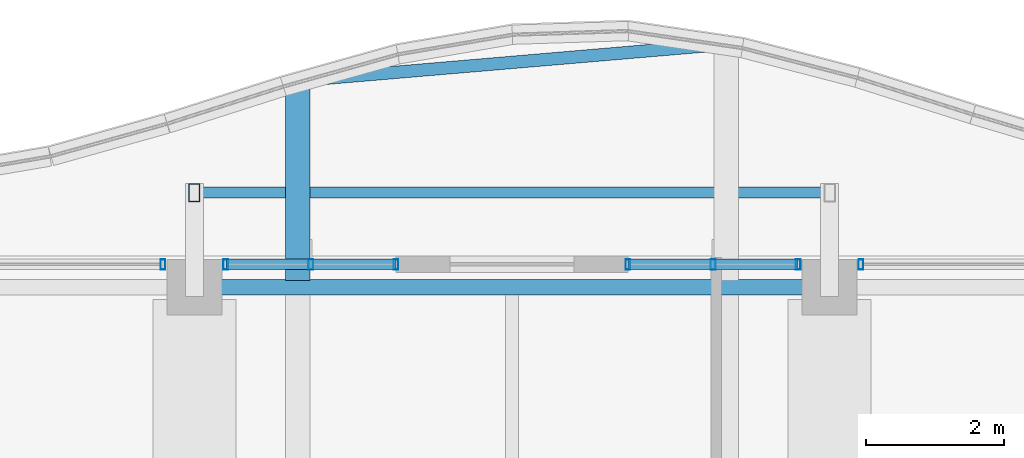
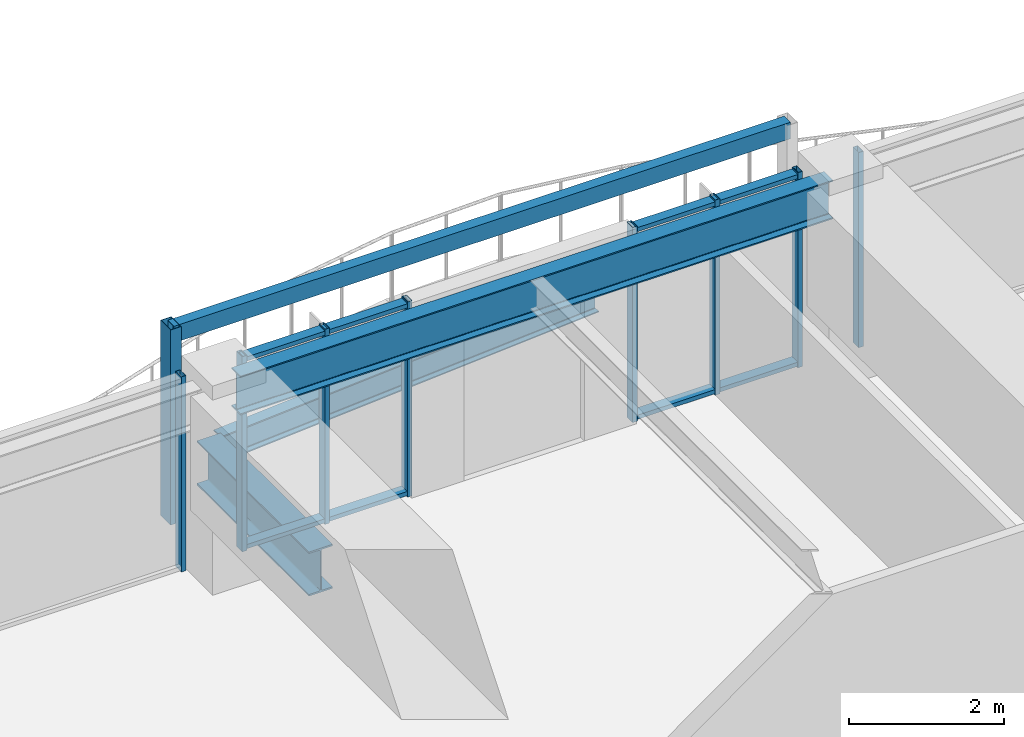
# One storey, part 20 of 37: 14 members, 3 beams, 4 elements without a shape of their own.
"""IFC4 building model written with IfcOpenShell, lengths in metres."""

from ifc_helpers import new_model, si_unit, direction, frame, origin, origin_2d, place, context, subcontext, project, spatial, hollow_rectangle, i_section, extrude, material, material_profile, profile_set, type_object, element, aggregate, save


model = new_model("IFC4")

# Units and contexts
model_context = context("Model", 3, precision=1e-05, world=origin(), true_north=direction((0.0, 1.0)))
body_context = subcontext(model_context, "Body", "Model", "MODEL_VIEW")
ifc_project = project(units=[si_unit("LENGTHUNIT", "METRE"), si_unit("AREAUNIT", "SQUARE_METRE"), si_unit("VOLUMEUNIT", "CUBIC_METRE"), si_unit("PLANEANGLEUNIT", "RADIAN"), si_unit("MASSUNIT", "GRAM", prefix="KILO")], contexts=[model_context])

# Site, building, storey
site_placement = place(None, origin())
site = spatial("IfcSite", under=ifc_project, at=site_placement, CompositionType="ELEMENT")
building_placement = place(site_placement, origin())
building = spatial("IfcBuilding", under=site, at=building_placement, Name="Kolvaren Belvedere", CompositionType="ELEMENT")
storey_placement = place(building_placement, frame((0.0, 0.0, 219.60009765625)))
storey = spatial("IfcBuildingStorey", under=building, at=storey_placement, Name="L64", CompositionType="ELEMENT", Elevation=219.60009765625)

# Beams
ifc_material_1 = material(Name="Structural steel ASTM A992 Grade 50", Category="steel")
ifc_material_profile_1 = material_profile(ifc_material_1, i_section(OverallWidth=0.35498046875, OverallDepth=0.696044921875, WebThickness=0.015380859375, FlangeThickness=0.02490234375, FilletRadius=0.02197265625, at=origin_2d()), Name="W27X146")
ifc_profile_set_1 = profile_set([ifc_material_profile_1], Name="Structural steel ASTM A992 Grade 50")
beam_type_1 = type_object("IfcBeamType", Name="BM-CANT-BAL", PredefinedType="BEAM", material=ifc_profile_set_1)
beam_1_placement = place(storey_placement, frame((-3.10009765625, 20.044921875, -0.568115234375), z_axis=(0.0, 1.0, 0.0), x_axis=(-1.0, 0.0, 0.0)))
element("IfcBeam", 1, at=beam_1_placement, inside=storey, type_object=beam_type_1, Name="L64 Planted Balcony Cantilever BAL-N-1", PredefinedType="BEAM", context=body_context, shape_type="SweptSolid", body=[
    extrude(i_section(OverallWidth=0.35498046875, OverallDepth=0.696044921875, WebThickness=0.015380859375, FlangeThickness=0.02490234375, FilletRadius=0.02197265625, at=origin_2d()), origin(), (0.0, 0.0, 1.0), 2.896484375),
])
ifc_material_2 = material(Name="Structural steel ASTM A992 Grade 50", Category="steel")
ifc_material_profile_2 = material_profile(ifc_material_2, i_section(OverallWidth=0.180908203125, OverallDepth=0.4169921875, WebThickness=0.010986328125, FlangeThickness=0.018310546875, FilletRadius=0.013916015625, at=origin_2d()), Name="W16X57")
ifc_profile_set_2 = profile_set([ifc_material_profile_2], Name="Structural steel ASTM A992 Grade 50")
beam_type_2 = type_object("IfcBeamType", Name="BM-EDGE-W16X57", PredefinedType="BEAM", material=ifc_profile_set_2)
beam_2_placement = place(storey_placement, frame((-2.96044921875, 22.953369140625, -0.4287109375), z_axis=(0.996380629298, 0.085003773793, 0.0), x_axis=(-0.085003773793, 0.996380629298, 0.0)))
element("IfcBeam", 2, at=beam_2_placement, inside=storey, type_object=beam_type_2, Name="L64 Balcony Tip Header Beam BAL-N", PredefinedType="BEAM", context=body_context, shape_type="SweptSolid", body=[
    extrude(i_section(OverallWidth=0.180908203125, OverallDepth=0.4169921875, WebThickness=0.010986328125, FlangeThickness=0.018310546875, FilletRadius=0.013916015625, at=origin_2d()), origin(), (0.0, 0.0, 1.0), 5.9423828125),
])
ifc_material_3 = material(Name="Structural steel ASTM A992 Grade 50", Category="steel")
ifc_material_profile_3 = material_profile(ifc_material_3, i_section(OverallWidth=0.22900390625, OverallDepth=0.612060546875, WebThickness=0.011962890625, FlangeThickness=0.01953125, FilletRadius=0.01806640625, at=origin_2d()), Name="W24X84")
ifc_profile_set_3 = profile_set([ifc_material_profile_3], Name="Structural steel ASTM A992 Grade 50")
beam_type_3 = type_object("IfcBeamType", Name="BM-SPAN-W24X84", PredefinedType="SPANDREL", material=ifc_profile_set_3)
beam_3_placement = place(storey_placement, frame((4.419921875, 19.949951171875, 2.77392578125), z_axis=(-1.0, 0.0, 0.0), x_axis=(0.0, -1.0, 0.0)))
element("IfcBeam", 3, at=beam_3_placement, inside=storey, type_object=beam_type_3, Name="L64 Perimeter Spandrel N3-N2", PredefinedType="SPANDREL", context=body_context, shape_type="SweptSolid", body=[
    extrude(i_section(OverallWidth=0.22900390625, OverallDepth=0.612060546875, WebThickness=0.011962890625, FlangeThickness=0.01953125, FilletRadius=0.01806640625, at=origin_2d()), origin(), (0.0, 0.0, 1.0), 8.83984375),
])

# Curtain wall, member
ifc_material_4 = material(Name="Anodised pale-metal aluminium AA 6063-T6", Category="aluminium")
curtain_wall_type = type_object("IfcCurtainWallType", Name="CW-Z5-HIGH", PredefinedType="NOTDEFINED", material=ifc_material_4)
curtain_wall_1_placement = place(storey_placement, origin())
curtain_wall_1 = element("IfcCurtainWall", 4, at=curtain_wall_1_placement, inside=storey, type_object=curtain_wall_type, Name="L64 Unitised Curtain Wall FCW-L64-N1-B1", PredefinedType="NOTDEFINED")
ifc_material_5 = material(Name="Anodised pale-metal aluminium AA 6063-T6", Category="aluminium")
ifc_material_profile_4 = material_profile(ifc_material_5, hollow_rectangle(XDim=0.070068359375, YDim=0.14990234375, WallThickness=0.004150390625, at=origin_2d()), Name="ALU-MUL-150X70")
ifc_profile_set_4 = profile_set([ifc_material_profile_4], Name="Anodised pale-metal aluminium AA 6063-T6")
member_type_1 = type_object("IfcMemberType", Name="CW-MUL-150", PredefinedType="MULLION", material=ifc_profile_set_4)
member_1_placement = place(storey_placement, frame((-5.054931640625, 20.280029296875, 0.0), z_axis=(0.0, 0.0, 1.0), x_axis=(1.0, 0.0, 0.0)))
member_1 = element("IfcMember", 5, at=member_1_placement, type_object=member_type_1, Name="FCW-L64-N1-B1 Unitised Mullion 3", PredefinedType="MULLION", context=body_context, shape_type="SweptSolid", body=[
    extrude(hollow_rectangle(XDim=0.070068359375, YDim=0.14990234375, WallThickness=0.004150390625, at=origin_2d()), origin(), (0.0, 0.0, 1.0), 3.079833984375),
])
aggregate(curtain_wall_1, [member_1])

# Curtain wall, members
curtain_wall_2_placement = place(storey_placement, origin())
curtain_wall_2 = element("IfcCurtainWall", 6, at=curtain_wall_2_placement, inside=storey, type_object=curtain_wall_type, Name="L64 Unitised Curtain Wall FCW-L64-N1-B2", PredefinedType="NOTDEFINED")
member_2_placement = place(storey_placement, frame((-4.14501953125, 20.280029296875, 0.0), z_axis=(0.0, 0.0, 1.0), x_axis=(1.0, 0.0, 0.0)))
member_2 = element("IfcMember", 7, at=member_2_placement, type_object=member_type_1, Name="FCW-L64-N1-B2 Unitised Mullion 1", PredefinedType="MULLION", context=body_context, shape_type="SweptSolid", body=[
    extrude(hollow_rectangle(XDim=0.070068359375, YDim=0.14990234375, WallThickness=0.004150390625, at=origin_2d()), origin(), (0.0, 0.0, 1.0), 3.079833984375),
])
member_3_placement = place(storey_placement, frame((-2.91259765625, 20.280029296875, 0.0), z_axis=(0.0, 0.0, 1.0), x_axis=(1.0, 0.0, 0.0)))
member_3 = element("IfcMember", 8, at=member_3_placement, type_object=member_type_1, Name="FCW-L64-N1-B2 Unitised Mullion 2", PredefinedType="MULLION", context=body_context, shape_type="SweptSolid", body=[
    extrude(hollow_rectangle(XDim=0.070068359375, YDim=0.14990234375, WallThickness=0.004150390625, at=origin_2d()), origin(), (0.0, 0.0, 1.0), 3.079833984375),
])
member_4_placement = place(storey_placement, frame((-1.679931640625, 20.280029296875, 0.0), z_axis=(0.0, 0.0, 1.0), x_axis=(1.0, 0.0, 0.0)))
member_4 = element("IfcMember", 9, at=member_4_placement, type_object=member_type_1, Name="FCW-L64-N1-B2 Unitised Mullion 3", PredefinedType="MULLION", context=body_context, shape_type="SweptSolid", body=[
    extrude(hollow_rectangle(XDim=0.070068359375, YDim=0.14990234375, WallThickness=0.004150390625, at=origin_2d()), origin(), (0.0, 0.0, 1.0), 3.079833984375),
])

curtain_wall_3_placement = place(storey_placement, origin())
curtain_wall_3 = element("IfcCurtainWall", 10, at=curtain_wall_3_placement, inside=storey, type_object=curtain_wall_type, Name="L64 Unitised Curtain Wall FCW-L64-N2-B1", PredefinedType="NOTDEFINED")
member_5_placement = place(storey_placement, frame((1.679931640625, 20.280029296875, 0.0), z_axis=(0.0, 0.0, 1.0), x_axis=(1.0, 0.0, 0.0)))
member_5 = element("IfcMember", 11, at=member_5_placement, type_object=member_type_1, Name="FCW-L64-N2-B1 Unitised Mullion 1", PredefinedType="MULLION", context=body_context, shape_type="SweptSolid", body=[
    extrude(hollow_rectangle(XDim=0.070068359375, YDim=0.14990234375, WallThickness=0.004150390625, at=origin_2d()), origin(), (0.0, 0.0, 1.0), 3.079833984375),
])
member_6_placement = place(storey_placement, frame((2.91259765625, 20.280029296875, 0.0), z_axis=(0.0, 0.0, 1.0), x_axis=(1.0, 0.0, 0.0)))
member_6 = element("IfcMember", 12, at=member_6_placement, type_object=member_type_1, Name="FCW-L64-N2-B1 Unitised Mullion 2", PredefinedType="MULLION", context=body_context, shape_type="SweptSolid", body=[
    extrude(hollow_rectangle(XDim=0.070068359375, YDim=0.14990234375, WallThickness=0.004150390625, at=origin_2d()), origin(), (0.0, 0.0, 1.0), 3.079833984375),
])
member_7_placement = place(storey_placement, frame((4.14501953125, 20.280029296875, 0.0), z_axis=(0.0, 0.0, 1.0), x_axis=(1.0, 0.0, 0.0)))
member_7 = element("IfcMember", 13, at=member_7_placement, type_object=member_type_1, Name="FCW-L64-N2-B1 Unitised Mullion 3", PredefinedType="MULLION", context=body_context, shape_type="SweptSolid", body=[
    extrude(hollow_rectangle(XDim=0.070068359375, YDim=0.14990234375, WallThickness=0.004150390625, at=origin_2d()), origin(), (0.0, 0.0, 1.0), 3.079833984375),
])

# Curtain wall, member
curtain_wall_4_placement = place(storey_placement, origin())
curtain_wall_4 = element("IfcCurtainWall", 14, at=curtain_wall_4_placement, inside=storey, type_object=curtain_wall_type, Name="L64 Unitised Curtain Wall FCW-L64-N2-B2", PredefinedType="NOTDEFINED")
member_8_placement = place(storey_placement, frame((5.054931640625, 20.280029296875, 0.0), z_axis=(0.0, 0.0, 1.0), x_axis=(1.0, 0.0, 0.0)))
member_8 = element("IfcMember", 15, at=member_8_placement, type_object=member_type_1, Name="FCW-L64-N2-B2 Unitised Mullion 1", PredefinedType="MULLION", context=body_context, shape_type="SweptSolid", body=[
    extrude(hollow_rectangle(XDim=0.070068359375, YDim=0.14990234375, WallThickness=0.004150390625, at=origin_2d()), origin(), (0.0, 0.0, 1.0), 3.079833984375),
])
aggregate(curtain_wall_4, [member_8])

# Member
ifc_material_6 = material(Name="Anodised pale-metal aluminium AA 6063-T6", Category="aluminium")
ifc_material_profile_5 = material_profile(ifc_material_6, hollow_rectangle(XDim=0.06494140625, YDim=0.14990234375, WallThickness=0.00390625, at=origin_2d()), Name="ALU-TRN-150X65")
ifc_profile_set_5 = profile_set([ifc_material_profile_5], Name="Anodised pale-metal aluminium AA 6063-T6")
member_type_2 = type_object("IfcMemberType", Name="CW-TRN-150", PredefinedType="USERDEFINED", material=ifc_profile_set_5)
member_9_placement = place(storey_placement, frame((-4.14501953125, 20.280029296875, 0.059814453125), z_axis=(1.0, 0.0, 0.0), x_axis=(0.0, 0.0, 1.0)))
member_9 = element("IfcMember", 16, at=member_9_placement, type_object=member_type_2, Name="FCW-L64-N1-B2 Sill Transom", ObjectType="TRANSOM", PredefinedType="USERDEFINED", context=body_context, shape_type="SweptSolid", body=[
    extrude(hollow_rectangle(XDim=0.06494140625, YDim=0.14990234375, WallThickness=0.00390625, at=origin_2d()), origin(), (0.0, 0.0, 1.0), 2.465087890625),
])

member_10_placement = place(storey_placement, frame((-4.14501953125, 20.280029296875, 3.02001953125), z_axis=(1.0, 0.0, 0.0), x_axis=(0.0, 0.0, 1.0)))
member_10 = element("IfcMember", 17, at=member_10_placement, type_object=member_type_2, Name="FCW-L64-N1-B2 Head Transom", ObjectType="TRANSOM", PredefinedType="USERDEFINED", context=body_context, shape_type="SweptSolid", body=[
    extrude(hollow_rectangle(XDim=0.06494140625, YDim=0.14990234375, WallThickness=0.00390625, at=origin_2d()), origin(), (0.0, 0.0, 1.0), 2.465087890625),
])

aggregate(curtain_wall_2, [member_2, member_3, member_4, member_9, member_10])

member_11_placement = place(storey_placement, frame((1.679931640625, 20.280029296875, 0.059814453125), z_axis=(1.0, 0.0, 0.0), x_axis=(0.0, 0.0, 1.0)))
member_11 = element("IfcMember", 18, at=member_11_placement, type_object=member_type_2, Name="FCW-L64-N2-B1 Sill Transom", ObjectType="TRANSOM", PredefinedType="USERDEFINED", context=body_context, shape_type="SweptSolid", body=[
    extrude(hollow_rectangle(XDim=0.06494140625, YDim=0.14990234375, WallThickness=0.00390625, at=origin_2d()), origin(), (0.0, 0.0, 1.0), 2.465087890625),
])

member_12_placement = place(storey_placement, frame((1.679931640625, 20.280029296875, 3.02001953125), z_axis=(1.0, 0.0, 0.0), x_axis=(0.0, 0.0, 1.0)))
member_12 = element("IfcMember", 19, at=member_12_placement, type_object=member_type_2, Name="FCW-L64-N2-B1 Head Transom", ObjectType="TRANSOM", PredefinedType="USERDEFINED", context=body_context, shape_type="SweptSolid", body=[
    extrude(hollow_rectangle(XDim=0.06494140625, YDim=0.14990234375, WallThickness=0.00390625, at=origin_2d()), origin(), (0.0, 0.0, 1.0), 2.465087890625),
])

aggregate(curtain_wall_3, [member_5, member_6, member_7, member_11, member_12])

# Members
ifc_material_7 = material(Name="Anodised pale-metal aluminium AA 6063-T6", Category="aluminium")
ifc_material_profile_6 = material_profile(ifc_material_7, hollow_rectangle(XDim=0.159912109375, YDim=0.260009765625, WallThickness=0.006591796875, at=origin_2d()), Name="ALU-PF-260X160")
ifc_profile_set_6 = profile_set([ifc_material_profile_6], Name="Anodised pale-metal aluminium AA 6063-T6")
member_type_3 = type_object("IfcMemberType", Name="PF-FRAME-260", PredefinedType="USERDEFINED", material=ifc_profile_set_6)
member_13_placement = place(storey_placement, frame((-4.60009765625, 21.320068359375, 0.0), z_axis=(0.0, 0.0, 1.0), x_axis=(1.0, 0.0, 0.0)))
element("IfcMember", 20, at=member_13_placement, inside=storey, type_object=member_type_3, Name="L64 Outboard Picture-Frame Vertical N1", ObjectType="PICTURE FRAME FIN", PredefinedType="USERDEFINED", context=body_context, shape_type="SweptSolid", body=[
    extrude(hollow_rectangle(XDim=0.159912109375, YDim=0.260009765625, WallThickness=0.006591796875, at=origin_2d()), origin(), (0.0, 0.0, 1.0), 3.079833984375),
])
member_14_placement = place(storey_placement, frame((-4.60009765625, 21.320068359375, 2.949951171875), z_axis=(1.0, 0.0, 0.0), x_axis=(0.0, 1.0, 0.0)))
element("IfcMember", 21, at=member_14_placement, inside=storey, type_object=member_type_3, Name="L64 Outboard Picture-Frame Head N", ObjectType="PICTURE FRAME FIN", PredefinedType="USERDEFINED", context=body_context, shape_type="SweptSolid", body=[
    extrude(hollow_rectangle(XDim=0.159912109375, YDim=0.260009765625, WallThickness=0.006591796875, at=origin_2d()), origin(), (0.0, 0.0, 1.0), 9.2001953125),
])

save(model, "model.ifc")
